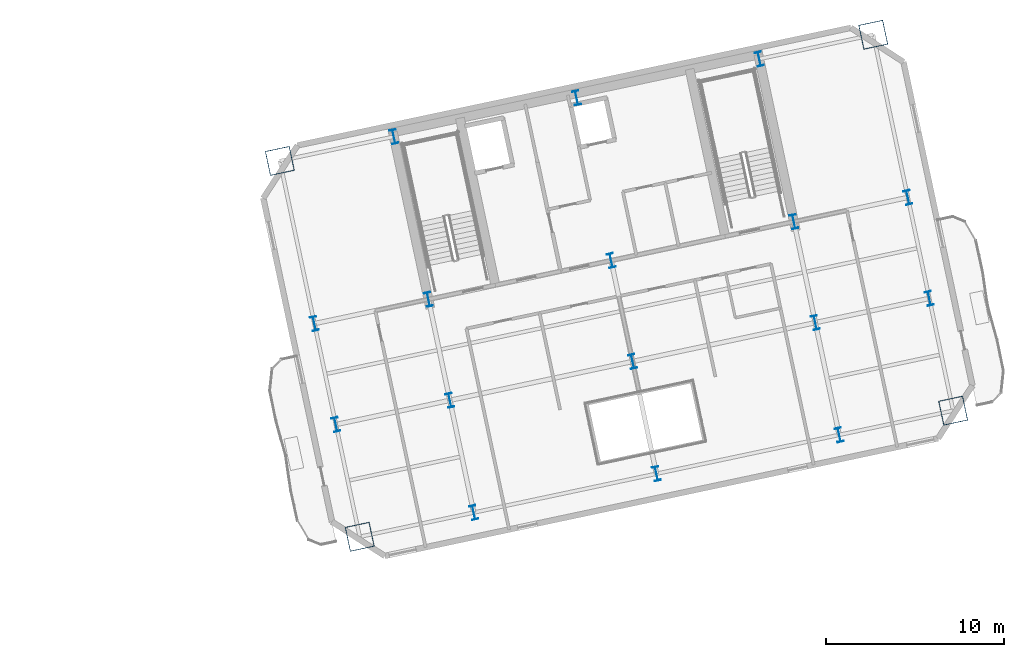
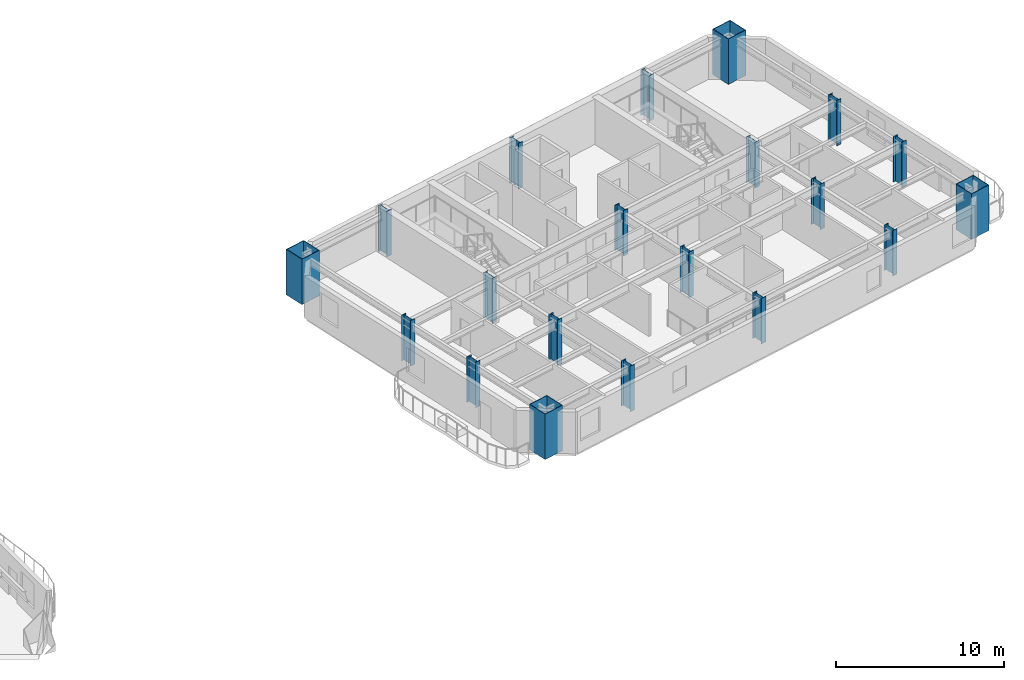
# One storey, part 2 of 14: 20 columns.
"""IFC4 building model written with IfcOpenShell, lengths in metres."""

from ifc_helpers import new_model, si_unit, direction, frame, origin, origin_2d, place, context, subcontext, project, spatial, hollow_rectangle, i_section, extrude, material, material_profile, profile_set, type_object, element, save


model = new_model("IFC4")

# Units and contexts
model_context = context("Model", 3, precision=1e-05, world=origin(), true_north=direction((0.0, 1.0)))
body_context = subcontext(model_context, "Body", "Model", "MODEL_VIEW")
ifc_project = project(units=[si_unit("LENGTHUNIT", "METRE"), si_unit("AREAUNIT", "SQUARE_METRE"), si_unit("VOLUMEUNIT", "CUBIC_METRE"), si_unit("PLANEANGLEUNIT", "RADIAN"), si_unit("MASSUNIT", "GRAM", prefix="KILO")], contexts=[model_context])

# Site, building, storey
site_placement = place(None, origin())
site = spatial("IfcSite", under=ifc_project, at=site_placement, CompositionType="ELEMENT")
building_placement = place(site_placement, origin())
building = spatial("IfcBuilding", under=site, at=building_placement, Name="Haevon Station Towers", CompositionType="ELEMENT")
storey_placement = place(building_placement, frame((0.0, 0.0, 119.699951171875)))
storey = spatial("IfcBuildingStorey", under=building, at=storey_placement, Name="L32", CompositionType="ELEMENT", Elevation=119.699951171875)

# Columns
ifc_material = material(Name="Steel S460", Category="steel")
ifc_material_profile_1 = material_profile(ifc_material, hollow_rectangle(XDim=1.39990234375, YDim=1.39990234375, WallThickness=0.035888671875, at=origin_2d()), Name="BOX-1400x1400x36")
ifc_profile_set_1 = profile_set([ifc_material_profile_1], Name="Steel S460")
column_type_1 = type_object("IfcColumnType", Name="COL-MC3", PredefinedType="COLUMN", material=ifc_profile_set_1)
for number, where, z_axis, x_axis, name in (
    (1, (94.892333984375, 24.098388671875, 0.0), (0.0, 0.0, 1.0), (0.978147600734, 0.207911690818, 0.0), "COL-T2-L32-01-01"),
    (2, (90.401611328125, 45.226318359375, 0.0), (0.0, 0.0, 1.0), (0.978147600734, 0.207911690818, 0.0), "COL-T2-L32-01-04"),
    (3, (128.247314453125, 31.18798828125, 0.0), (0.0, 0.0, 1.0), (0.978147600734, 0.207911690818, 0.0), "COL-T2-L32-05-01"),
    (4, (123.75634765625, 52.316162109375, 0.0), (0.0, 0.0, 1.0), (0.978147600734, 0.207911690818, 0.0), "COL-T2-L32-05-04"),
):
    element("IfcColumn", number, at=place(storey_placement, frame(where, z_axis=z_axis, x_axis=x_axis)), inside=storey, type_object=column_type_1, Name=name, PredefinedType="COLUMN", context=body_context, shape_type="SweptSolid", body=[
        extrude(hollow_rectangle(XDim=1.39990234375, YDim=1.39990234375, WallThickness=0.035888671875, at=origin_2d()), origin(), (0.0, 0.0, 1.0), 3.300048828125),
    ])
ifc_material_profile_2 = material_profile(ifc_material, i_section(OverallWidth=0.35009765625, OverallDepth=0.800048828125, WebThickness=0.01806640625, FlangeThickness=0.031982421875, at=origin_2d()), Name="H-800x350x18x32")
ifc_profile_set_2 = profile_set([ifc_material_profile_2], Name="Steel S460")
column_type_2 = type_object("IfcColumnType", Name="COL-TW2", PredefinedType="COLUMN", material=ifc_profile_set_2)
for number, where, z_axis, x_axis, name in (
    (5, (93.55126953125, 30.4072265625, 0.0), (0.0, 0.0, 1.0), (0.978147600734, 0.207911690818, 0.0), "COL-T2-L32-01-02"),
    (6, (92.345458984375, 36.08056640625, 0.0), (0.0, 0.0, 1.0), (0.978147600734, 0.207911690818, 0.0), "COL-T2-L32-01-03"),
    (7, (101.29931640625, 25.460205078125, 0.0), (0.0, 0.0, 1.0), (0.978147600734, 0.207911690818, 0.0), "COL-T2-L32-02-01"),
    (8, (99.958251953125, 31.76904296875, 0.0), (0.0, 0.0, 1.0), (0.978147600734, 0.207911690818, 0.0), "COL-T2-L32-02-02"),
    (9, (98.75244140625, 37.4423828125, 0.0), (0.0, 0.0, 1.0), (0.978147600734, 0.207911690818, 0.0), "COL-T2-L32-02-03"),
    (10, (96.808349609375, 46.588134765625, 0.0), (0.0, 0.0, 1.0), (0.978147600734, 0.207911690818, 0.0), "COL-T2-L32-02-04"),
    (11, (111.56982421875, 27.64306640625, 0.0), (0.0, 0.0, 1.0), (0.978147600734, 0.207911690818, 0.0), "COL-T2-L32-03-01"),
    (12, (110.228759765625, 33.9521484375, 0.0), (0.0, 0.0, 1.0), (0.978147600734, 0.207911690818, 0.0), "COL-T2-L32-03-02"),
    (13, (109.02294921875, 39.62548828125, 0.0), (0.0, 0.0, 1.0), (0.978147600734, 0.207911690818, 0.0), "COL-T2-L32-03-03"),
    (14, (107.078857421875, 48.771240234375, 0.0), (0.0, 0.0, 1.0), (0.978147600734, 0.207911690818, 0.0), "COL-T2-L32-03-04"),
    (15, (121.84033203125, 29.826171875, 0.0), (0.0, 0.0, 1.0), (0.978147600734, 0.207911690818, 0.0), "COL-T2-L32-04-01"),
    (16, (120.499267578125, 36.13525390625, 0.0), (0.0, 0.0, 1.0), (0.978147600734, 0.207911690818, 0.0), "COL-T2-L32-04-02"),
    (17, (119.29345703125, 41.80859375, 0.0), (0.0, 0.0, 1.0), (0.978147600734, 0.207911690818, 0.0), "COL-T2-L32-04-03"),
    (18, (117.349365234375, 50.954345703125, 0.0), (0.0, 0.0, 1.0), (0.978147600734, 0.207911690818, 0.0), "COL-T2-L32-04-04"),
    (19, (126.90625, 37.4970703125, 0.0), (0.0, 0.0, 1.0), (0.978147600734, 0.207911690818, 0.0), "COL-T2-L32-05-02"),
    (20, (125.7001953125, 43.17041015625, 0.0), (0.0, 0.0, 1.0), (0.978147600734, 0.207911690818, 0.0), "COL-T2-L32-05-03"),
):
    element("IfcColumn", number, at=place(storey_placement, frame(where, z_axis=z_axis, x_axis=x_axis)), inside=storey, type_object=column_type_2, Name=name, PredefinedType="COLUMN", context=body_context, shape_type="SweptSolid", body=[
        extrude(i_section(OverallWidth=0.35009765625, OverallDepth=0.800048828125, WebThickness=0.01806640625, FlangeThickness=0.031982421875, at=origin_2d()), origin(), (0.0, 0.0, 1.0), 3.300048828125),
    ])

save(model, "model.ifc")
